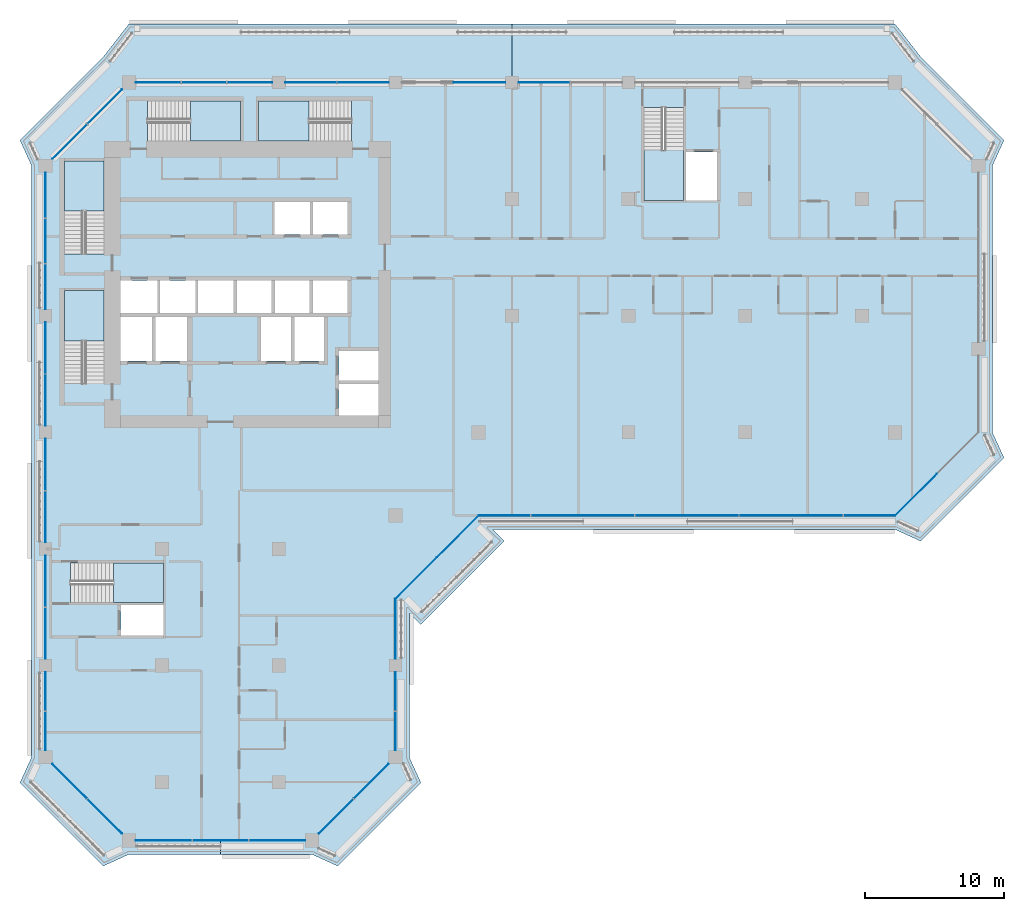
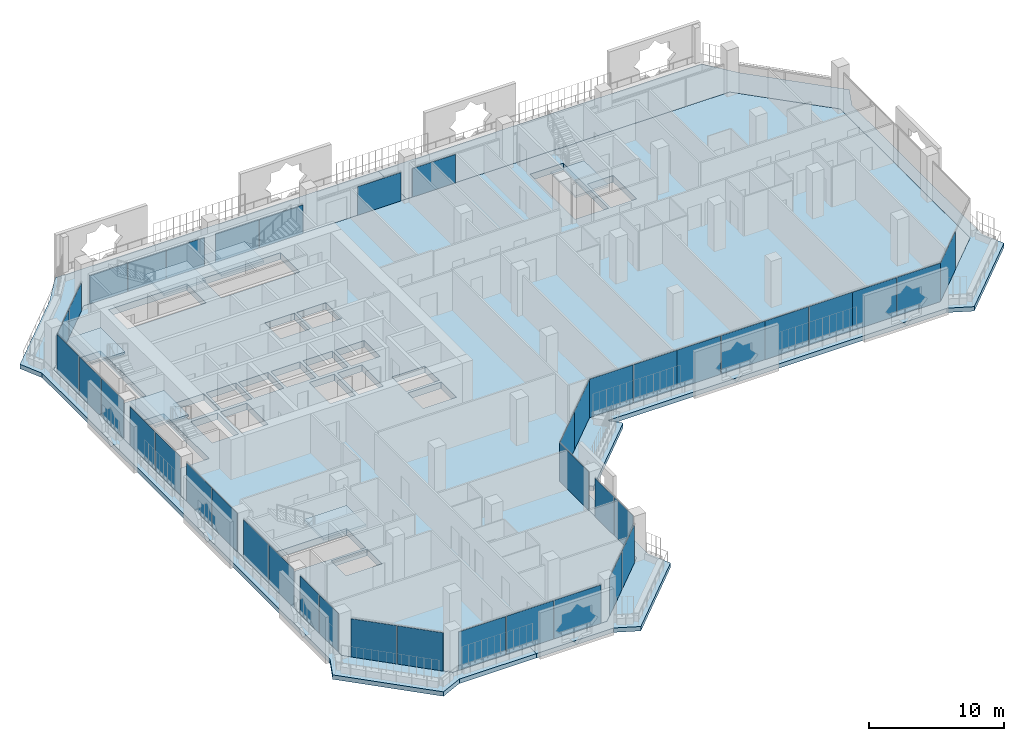
# One storey, part 8 of 22: 41 plates, 9 slabs, 16 elements without a shape of their own.
"""IFC4 building model written with IfcOpenShell, lengths in metres."""

import ifcopenshell
import ifcopenshell.guid

model = None  # the IFC model being written
_history = None  # IfcOwnerHistory: only IFC2X3 demands one
_inside = {}  # id of a spatial element -> (the spatial element, [elements in it])
_under = {}  # id of a project, library or spatial element -> (it, [spatial elements below it])
_declared = {}  # id of a project -> (the project, [libraries it declares])
_typed = {}  # id of a type object -> (the type object, [elements of that type])
_made_of = {}  # id of a material, layer set ... -> (it, [elements and type objects made of it])


def new_model(schema):
    """Start an empty IFC model of exactly this schema.

    Asked for "IFC4X3", IfcOpenShell would pick the latest addendum, in which some entities
    have other attributes; the version numbers below select the first issue.
    IFC2X3 requires an IfcOwnerHistory on every rooted entity: one is made here for all.
    """
    global model, _history
    if schema == "IFC4X3":
        model = ifcopenshell.file(schema_version=(4, 3, 0, 0))
    else:
        model = ifcopenshell.file(schema=schema)
    _inside.clear()
    _under.clear()
    _declared.clear()
    _typed.clear()
    _made_of.clear()
    _history = None
    if model.schema == "IFC2X3":
        org = make("IfcOrganization", Name="unknown")
        user = make(
            "IfcPersonAndOrganization",
            ThePerson=make("IfcPerson", FamilyName="unknown"),
            TheOrganization=org,
        )
        app = make(
            "IfcApplication",
            ApplicationDeveloper=org,
            Version="unknown",
            ApplicationFullName="unknown",
            ApplicationIdentifier="unknown",
        )
        _history = make(
            "IfcOwnerHistory",
            OwningUser=user,
            OwningApplication=app,
            ChangeAction="ADDED",
            CreationDate=0,
        )
    return model


def make(cls, **values):
    """One entity of the class cls with the attributes given. An attribute that is None is left unset."""
    return model.create_entity(
        cls, **{name: value for name, value in values.items() if value is not None}
    )


def rooted(cls, **values):
    """An entity with a GlobalId (a new one), such as an element, a storey or a relation."""
    return make(cls, GlobalId=ifcopenshell.guid.new(), OwnerHistory=_history, **values)


def si_unit(unit_type, name, prefix=None):
    """IfcSIUnit, for example si_unit("LENGTHUNIT", "METRE", prefix="MILLI")."""
    return make("IfcSIUnit", UnitType=unit_type, Prefix=prefix, Name=name)


def assignment(units):
    """IfcUnitAssignment: the units of a project."""
    return None if units is None else make("IfcUnitAssignment", Units=units)


def point(xyz):
    """IfcCartesianPoint."""
    return None if xyz is None else make("IfcCartesianPoint", Coordinates=xyz)


def direction(xyz):
    """IfcDirection."""
    return None if xyz is None else make("IfcDirection", DirectionRatios=xyz)


def frame(location, z_axis=None, x_axis=None):
    """IfcAxis2Placement3D, a coordinate frame: its origin and axes. An axis left out is left unset."""
    return make(
        "IfcAxis2Placement3D",
        Location=point(location),
        Axis=direction(z_axis),
        RefDirection=direction(x_axis),
    )


def frame_2d(location, x_axis=None):
    """IfcAxis2Placement2D, a coordinate frame in the plane: its origin and x axis."""
    return make(
        "IfcAxis2Placement2D", Location=point(location), RefDirection=direction(x_axis)
    )


def origin():
    """The frame at (0, 0, 0) with its axes left unset."""
    return frame((0.0, 0.0, 0.0))


def origin_2d():
    """The frame at (0, 0) in the plane with its x axis left unset."""
    return frame_2d((0.0, 0.0))


def place(relative_to, where):
    """IfcLocalPlacement: puts the frame where relative to a parent placement (None: the world)."""
    return make(
        "IfcLocalPlacement", PlacementRelTo=relative_to, RelativePlacement=where
    )


def context(
    kind, dimensions, precision=None, world=None, true_north=None, identifier=None
):
    """IfcGeometricRepresentationContext, for example the 3D "Model" context."""
    return make(
        "IfcGeometricRepresentationContext",
        ContextIdentifier=identifier,
        ContextType=kind,
        CoordinateSpaceDimension=dimensions,
        Precision=precision,
        WorldCoordinateSystem=world,
        TrueNorth=true_north,
    )


def subcontext(parent, identifier, kind, view, scale=None):
    """IfcGeometricRepresentationSubContext, for example "Body" below "Model"."""
    return make(
        "IfcGeometricRepresentationSubContext",
        ContextIdentifier=identifier,
        ContextType=kind,
        ParentContext=parent,
        TargetScale=scale,
        TargetView=view,
    )


def project(units=None, contexts=None):
    """IfcProject with its units and contexts."""
    return rooted(
        "IfcProject",
        Name="project",
        RepresentationContexts=contexts,
        UnitsInContext=assignment(units),
    )


def spatial(cls, under=None, at=None, **own):
    """A site, building, storey or space (cls), placed at a placement, below another one or the project."""
    s = rooted(cls, ObjectPlacement=at, **own)
    if under is not None:
        _under.setdefault(under.id(), (under, []))[1].append(s)
    return s


def polyline(points):
    """IfcPolyline through the points."""
    return make("IfcPolyline", Points=[point(p) for p in points])


def profile(cls, at=None, kind="AREA", **sizes):
    """A parametric profile (cls). Its sizes go by their IFC names, for example OverallWidth=200.0."""
    return make(cls, ProfileType=kind, Position=at, **sizes)


def rectangle(**sizes):
    """IfcRectangleProfileDef."""
    return profile("IfcRectangleProfileDef", **sizes)


def outline(outer, holes=None, kind="AREA"):
    """IfcArbitraryClosedProfileDef: a profile drawn as a closed curve; with holes, ...WithVoids."""
    if holes is None:
        return make("IfcArbitraryClosedProfileDef", ProfileType=kind, OuterCurve=outer)
    return make(
        "IfcArbitraryProfileDefWithVoids",
        ProfileType=kind,
        OuterCurve=outer,
        InnerCurves=holes,
    )


def extrude(swept, where, along, depth):
    """IfcExtrudedAreaSolid: the profile swept, set in the frame where, extruded along a direction by depth."""
    return make(
        "IfcExtrudedAreaSolid",
        SweptArea=swept,
        Position=where,
        ExtrudedDirection=direction(along),
        Depth=depth,
    )


def shape(context_of_items, identifier, shape_type, items):
    """IfcShapeRepresentation: the items that make up one representation, for example the "Body"."""
    return make(
        "IfcShapeRepresentation",
        ContextOfItems=context_of_items,
        RepresentationIdentifier=identifier,
        RepresentationType=shape_type,
        Items=items,
    )


def material(Name=None, Category=None):
    """IfcMaterial."""
    return make("IfcMaterial", Name=Name, Category=Category)


def layer(
    of_material, thickness, ventilated=None, Name=None, Category=None, Priority=None
):
    """IfcMaterialLayer: one layer of a wall or slab, of a material (None: an air gap)."""
    return make(
        "IfcMaterialLayer",
        Material=of_material,
        LayerThickness=thickness,
        IsVentilated=ventilated,
        Name=Name,
        Category=Category,
        Priority=Priority,
    )


def layer_set(layers, Name=None):
    """IfcMaterialLayerSet."""
    return make("IfcMaterialLayerSet", MaterialLayers=layers, LayerSetName=Name)


def made_of(thing, what):
    """Note that an element or type object is made of a material, layer set ...; save() writes the relation."""
    if what is not None:
        _made_of.setdefault(what.id(), (what, []))[1].append(thing)
    return thing


def type_object(cls, material=None, **own):
    """A type object (cls), such as IfcWallType, which elements share."""
    return made_of(rooted(cls, **own), material)


def element(
    cls,
    number,
    at=None,
    inside=None,
    cuts=None,
    type_object=None,
    material=None,
    context=None,
    identifier="Body",
    shape_type=None,
    held_by="IfcProductDefinitionShape",
    body=None,
    shapes=None,
    **own,
):
    """One element of the class cls, such as IfcWall. Its Tag is "e" and its number.

    at: its placement. inside: the storey or other place that contains it. cuts: it is an
    opening in that element (IfcRelVoidsElement). A single representation is given by context,
    identifier, shape_type and body (its items); several are given by shapes. held_by: the class
    of the entity that holds the representations. save() writes the other relations.
    """
    e = rooted(cls, Tag="e%d" % number, ObjectPlacement=at, **own)
    if body is not None:
        shapes = [shape(context, identifier, shape_type, body)]
    if shapes is not None:
        e.Representation = make(held_by, Representations=shapes)
    if inside is not None:
        _inside.setdefault(inside.id(), (inside, []))[1].append(e)
    if cuts is not None:
        rooted(
            "IfcRelVoidsElement", RelatingBuildingElement=cuts, RelatedOpeningElement=e
        )
    if type_object is not None:
        _typed.setdefault(type_object.id(), (type_object, []))[1].append(e)
    return made_of(e, material)


def aggregate(whole, parts):
    """IfcRelAggregates: a whole, such as a stair, and the parts it consists of."""
    return rooted("IfcRelAggregates", RelatingObject=whole, RelatedObjects=parts)


def save(model, path):
    """Write the relations noted so far, then the file.

    IfcRelAggregates (storeys below a building ...), IfcRelContainedInSpatialStructure (elements
    in a storey), IfcRelDefinesByType, IfcRelAssociatesMaterial and IfcRelDeclares: one each for
    every whole, place, type object, material and project.
    """
    for whole, parts in _under.values():
        aggregate(whole, parts)
    for where, things in _inside.values():
        rooted(
            "IfcRelContainedInSpatialStructure",
            RelatedElements=things,
            RelatingStructure=where,
        )
    for kind, things in _typed.values():
        rooted("IfcRelDefinesByType", RelatedObjects=things, RelatingType=kind)
    for what, things in _made_of.values():
        rooted("IfcRelAssociatesMaterial", RelatedObjects=things, RelatingMaterial=what)
    for by, libraries in _declared.values():
        rooted("IfcRelDeclares", RelatingContext=by, RelatedDefinitions=libraries)
    model.write(path)


model = new_model("IFC4")

# Units and contexts
model_context = context("Model", 3, precision=1e-05, world=origin(), true_north=direction((0.0, 1.0)))
body_context = subcontext(model_context, "Body", "Model", "MODEL_VIEW")
ifc_project = project(units=[si_unit("LENGTHUNIT", "METRE"), si_unit("AREAUNIT", "SQUARE_METRE"), si_unit("VOLUMEUNIT", "CUBIC_METRE"), si_unit("PLANEANGLEUNIT", "RADIAN"), si_unit("MASSUNIT", "GRAM", prefix="KILO")], contexts=[model_context])

# Site, building, storey
site_placement = place(None, origin())
site = spatial("IfcSite", under=ifc_project, at=site_placement, CompositionType="ELEMENT")
building_placement = place(site_placement, origin())
building = spatial("IfcBuilding", under=site, at=building_placement, Name="Kawkab Arch Medical Tower", CompositionType="ELEMENT")
storey_placement = place(building_placement, frame((0.0, 0.0, 187.800048828125)))
storey = spatial("IfcBuildingStorey", under=building, at=storey_placement, Name="L43", CompositionType="ELEMENT", Elevation=187.800048828125)

# Curtain wall, plates
ifc_material_1 = material(Name="Bronze anodised aluminium curtain wall frame", Category="aluminium")
ifc_layer_1 = layer(ifc_material_1, 0.159912109375)
ifc_layer_set_1 = layer_set([ifc_layer_1], Name="Bronze anodised aluminium curtain wall frame")
curtain_wall_type_1 = type_object("IfcCurtainWallType", Name="CW1 ward curtain wall", PredefinedType="NOTDEFINED", material=ifc_layer_set_1)
placement_1 = place(storey_placement, origin())
curtain_wall_1 = element("IfcCurtainWall", 1, at=placement_1, inside=storey, type_object=curtain_wall_type_1, Name="CW1 Ward curtain wall R01", PredefinedType="NOTDEFINED")
ifc_material_2 = material(Name="Tinted insulating glass, bronze low-e coating", Category="glass")
ifc_layer_2 = layer(ifc_material_2, 0.031982421875)
ifc_layer_set_2 = layer_set([ifc_layer_2], Name="Tinted insulating glass, bronze low-e coating")
plate_type_1 = type_object("IfcPlateType", Name="CW1 glazing unit 32", PredefinedType="CURTAIN_PANEL", material=ifc_layer_set_2)
plate_1_placement = place(storey_placement, frame((0.0, -8.12255859375, 0.0), z_axis=(0.0, 0.0, 1.0), x_axis=(0.0, -1.0, 0.0)))
plate_1 = element("IfcPlate", 2, at=plate_1_placement, type_object=plate_type_1, Name="CW1 glazing unit 1.1", PredefinedType="CURTAIN_PANEL", context=body_context, shape_type="SweptSolid", body=[
    extrude(rectangle(XDim=3.2451171875, YDim=0.031982421875, at=origin_2d()), origin(), (0.0, 0.0, 1.0), 3.47998046875),
])
plate_2_placement = place(storey_placement, frame((0.0, -11.41259765625, 0.0), z_axis=(0.0, 0.0, 1.0), x_axis=(0.0, -1.0, 0.0)))
plate_2 = element("IfcPlate", 3, at=plate_2_placement, type_object=plate_type_1, Name="CW1 glazing unit 1.2", PredefinedType="CURTAIN_PANEL", context=body_context, shape_type="SweptSolid", body=[
    extrude(rectangle(XDim=3.215087890625, YDim=0.031982421875, at=origin_2d()), origin(), (0.0, 0.0, 1.0), 3.47998046875),
])
plate_3_placement = place(storey_placement, frame((0.0, -14.702392578125, 0.0), z_axis=(0.0, 0.0, 1.0), x_axis=(0.0, -1.0, 0.0)))
plate_3 = element("IfcPlate", 4, at=plate_3_placement, type_object=plate_type_1, Name="CW1 glazing unit 1.3", PredefinedType="CURTAIN_PANEL", context=body_context, shape_type="SweptSolid", body=[
    extrude(rectangle(XDim=3.2451171875, YDim=0.031982421875, at=origin_2d()), origin(), (0.0, 0.0, 1.0), 3.47998046875),
])
plate_4_placement = place(storey_placement, frame((0.0, -19.12255859375, 0.0), z_axis=(0.0, 0.0, 1.0), x_axis=(0.0, -1.0, 0.0)))
plate_4 = element("IfcPlate", 5, at=plate_4_placement, type_object=plate_type_1, Name="CW1 glazing unit 2.1", PredefinedType="CURTAIN_PANEL", context=body_context, shape_type="SweptSolid", body=[
    extrude(rectangle(XDim=3.695068359375, YDim=0.031982421875, at=origin_2d()), origin(), (0.0, 0.0, 1.0), 3.47998046875),
])
plate_5_placement = place(storey_placement, frame((0.0, -22.87744140625, 0.0), z_axis=(0.0, 0.0, 1.0), x_axis=(0.0, -1.0, 0.0)))
plate_5 = element("IfcPlate", 6, at=plate_5_placement, type_object=plate_type_1, Name="CW1 glazing unit 2.2", PredefinedType="CURTAIN_PANEL", context=body_context, shape_type="SweptSolid", body=[
    extrude(rectangle(XDim=3.695068359375, YDim=0.031982421875, at=origin_2d()), origin(), (0.0, 0.0, 1.0), 3.47998046875),
])
plate_6_placement = place(storey_placement, frame((0.0, -27.5224609375, 0.0), z_axis=(0.0, 0.0, 1.0), x_axis=(0.0, -1.0, 0.0)))
plate_6 = element("IfcPlate", 7, at=plate_6_placement, type_object=plate_type_1, Name="CW1 glazing unit 3.1", PredefinedType="CURTAIN_PANEL", context=body_context, shape_type="SweptSolid", body=[
    extrude(rectangle(XDim=3.695068359375, YDim=0.031982421875, at=origin_2d()), origin(), (0.0, 0.0, 1.0), 3.47998046875),
])
plate_7_placement = place(storey_placement, frame((0.0, -31.277587890625, 0.0), z_axis=(0.0, 0.0, 1.0), x_axis=(0.0, -1.0, 0.0)))
plate_7 = element("IfcPlate", 8, at=plate_7_placement, type_object=plate_type_1, Name="CW1 glazing unit 3.2", PredefinedType="CURTAIN_PANEL", context=body_context, shape_type="SweptSolid", body=[
    extrude(rectangle(XDim=3.695068359375, YDim=0.031982421875, at=origin_2d()), origin(), (0.0, 0.0, 1.0), 3.47998046875),
])
plate_8_placement = place(storey_placement, frame((0.0, -35.922607421875, 0.0), z_axis=(0.0, 0.0, 1.0), x_axis=(0.0, -1.0, 0.0)))
plate_8 = element("IfcPlate", 9, at=plate_8_placement, type_object=plate_type_1, Name="CW1 glazing unit 4.1", PredefinedType="CURTAIN_PANEL", context=body_context, shape_type="SweptSolid", body=[
    extrude(rectangle(XDim=3.695068359375, YDim=0.031982421875, at=origin_2d()), origin(), (0.0, 0.0, 1.0), 3.47998046875),
])
plate_9_placement = place(storey_placement, frame((0.0, -39.677490234375, 0.0), z_axis=(0.0, 0.0, 1.0), x_axis=(0.0, -1.0, 0.0)))
plate_9 = element("IfcPlate", 10, at=plate_9_placement, type_object=plate_type_1, Name="CW1 glazing unit 4.2", PredefinedType="CURTAIN_PANEL", context=body_context, shape_type="SweptSolid", body=[
    extrude(rectangle(XDim=3.695068359375, YDim=0.031982421875, at=origin_2d()), origin(), (0.0, 0.0, 1.0), 3.47998046875),
])
plate_10_placement = place(storey_placement, frame((0.0, -43.8662109375, 0.0), z_axis=(0.0, 0.0, 1.0), x_axis=(0.0, -1.0, 0.0)))
plate_10 = element("IfcPlate", 11, at=plate_10_placement, type_object=plate_type_1, Name="CW1 glazing unit 5.1", PredefinedType="CURTAIN_PANEL", context=body_context, shape_type="SweptSolid", body=[
    extrude(rectangle(XDim=2.782470703125, YDim=0.031982421875, at=origin_2d()), origin(), (0.0, 0.0, 1.0), 3.47998046875),
])
plate_11_placement = place(storey_placement, frame((0.0, -46.708740234375, 0.0), z_axis=(0.0, 0.0, 1.0), x_axis=(0.0, -1.0, 0.0)))
plate_11 = element("IfcPlate", 12, at=plate_11_placement, type_object=plate_type_1, Name="CW1 glazing unit 5.2", PredefinedType="CURTAIN_PANEL", context=body_context, shape_type="SweptSolid", body=[
    extrude(rectangle(XDim=2.782470703125, YDim=0.031982421875, at=origin_2d()), origin(), (0.0, 0.0, 1.0), 3.47998046875),
])
aggregate(curtain_wall_1, [plate_1, plate_2, plate_3, plate_4, plate_5, plate_6, plate_7, plate_8, plate_9, plate_10, plate_11])

curtain_wall_2 = element("IfcCurtainWall", 13, at=placement_1, inside=storey, type_object=curtain_wall_type_1, Name="CW1 Ward curtain wall R03", PredefinedType="NOTDEFINED")
plate_12_placement = place(storey_placement, frame((8.518310546875, -54.60009765625, 0.0), z_axis=(0.0, 0.0, 1.0), x_axis=(1.0, 0.0, 0.0)))
plate_12 = element("IfcPlate", 14, at=plate_12_placement, type_object=plate_type_1, Name="CW1 glazing unit 1.1", PredefinedType="CURTAIN_PANEL", context=body_context, shape_type="SweptSolid", body=[
    extrude(rectangle(XDim=4.03662109375, YDim=0.031982421875, at=origin_2d()), origin(), (0.0, 0.0, 1.0), 3.47998046875),
])
plate_13_placement = place(storey_placement, frame((12.60009765625, -54.60009765625, 0.0), z_axis=(0.0, 0.0, 1.0), x_axis=(1.0, 0.0, 0.0)))
plate_13 = element("IfcPlate", 15, at=plate_13_placement, type_object=plate_type_1, Name="CW1 glazing unit 1.2", PredefinedType="CURTAIN_PANEL", context=body_context, shape_type="SweptSolid", body=[
    extrude(rectangle(XDim=4.006591796875, YDim=0.031982421875, at=origin_2d()), origin(), (0.0, 0.0, 1.0), 3.47998046875),
])
plate_14_placement = place(storey_placement, frame((16.681640625, -54.60009765625, 0.0), z_axis=(0.0, 0.0, 1.0), x_axis=(1.0, 0.0, 0.0)))
plate_14 = element("IfcPlate", 16, at=plate_14_placement, type_object=plate_type_1, Name="CW1 glazing unit 1.3", PredefinedType="CURTAIN_PANEL", context=body_context, shape_type="SweptSolid", body=[
    extrude(rectangle(XDim=4.03662109375, YDim=0.031982421875, at=origin_2d()), origin(), (0.0, 0.0, 1.0), 3.47998046875),
])
aggregate(curtain_wall_2, [plate_12, plate_13, plate_14])

curtain_wall_3 = element("IfcCurtainWall", 17, at=placement_1, inside=storey, type_object=curtain_wall_type_1, Name="CW1 Ward curtain wall R05", PredefinedType="NOTDEFINED")
plate_15_placement = place(storey_placement, frame((25.199951171875, -46.708740234375, 0.0), z_axis=(0.0, 0.0, 1.0), x_axis=(0.0, 1.0, 0.0)))
plate_15 = element("IfcPlate", 18, at=plate_15_placement, type_object=plate_type_1, Name="CW1 glazing unit 1.1", PredefinedType="CURTAIN_PANEL", context=body_context, shape_type="SweptSolid", body=[
    extrude(rectangle(XDim=2.782470703125, YDim=0.031982421875, at=origin_2d()), origin(), (0.0, 0.0, 1.0), 3.47998046875),
])
plate_16_placement = place(storey_placement, frame((25.199951171875, -43.8662109375, 0.0), z_axis=(0.0, 0.0, 1.0), x_axis=(0.0, 1.0, 0.0)))
plate_16 = element("IfcPlate", 19, at=plate_16_placement, type_object=plate_type_1, Name="CW1 glazing unit 1.2", PredefinedType="CURTAIN_PANEL", context=body_context, shape_type="SweptSolid", body=[
    extrude(rectangle(XDim=2.782470703125, YDim=0.031982421875, at=origin_2d()), origin(), (0.0, 0.0, 1.0), 3.47998046875),
])
plate_17_placement = place(storey_placement, frame((25.199951171875, -39.362548828125, 0.0), z_axis=(0.0, 0.0, 1.0), x_axis=(0.0, 1.0, 0.0)))
plate_17 = element("IfcPlate", 20, at=plate_17_placement, type_object=plate_type_1, Name="CW1 glazing unit 2.1", PredefinedType="CURTAIN_PANEL", context=body_context, shape_type="SweptSolid", body=[
    extrude(rectangle(XDim=4.324951171875, YDim=0.031982421875, at=origin_2d()), origin(), (0.0, 0.0, 1.0), 3.47998046875),
])
aggregate(curtain_wall_3, [plate_15, plate_16, plate_17])

curtain_wall_4 = element("IfcCurtainWall", 21, at=placement_1, inside=storey, type_object=curtain_wall_type_1, Name="CW1 Ward curtain wall R07", PredefinedType="NOTDEFINED")
plate_18_placement = place(storey_placement, frame((33.06005859375, -31.199951171875, 0.0), z_axis=(0.0, 0.0, 1.0), x_axis=(1.0, 0.0, 0.0)))
plate_18 = element("IfcPlate", 22, at=plate_18_placement, type_object=plate_type_1, Name="CW1 glazing unit 1.1", PredefinedType="CURTAIN_PANEL", context=body_context, shape_type="SweptSolid", body=[
    extrude(rectangle(XDim=3.719970703125, YDim=0.031982421875, at=origin_2d()), origin(), (0.0, 0.0, 1.0), 3.47998046875),
])
plate_19_placement = place(storey_placement, frame((36.840087890625, -31.199951171875, 0.0), z_axis=(0.0, 0.0, 1.0), x_axis=(1.0, 0.0, 0.0)))
plate_19 = element("IfcPlate", 23, at=plate_19_placement, type_object=plate_type_1, Name="CW1 glazing unit 1.2", PredefinedType="CURTAIN_PANEL", context=body_context, shape_type="SweptSolid", body=[
    extrude(rectangle(XDim=3.719970703125, YDim=0.031982421875, at=origin_2d()), origin(), (0.0, 0.0, 1.0), 3.47998046875),
])
plate_20_placement = place(storey_placement, frame((40.56005859375, -31.199951171875, 0.0), z_axis=(0.0, 0.0, 1.0), x_axis=(1.0, 0.0, 0.0)))
plate_20 = element("IfcPlate", 24, at=plate_20_placement, type_object=plate_type_1, Name="CW1 glazing unit 2.1", PredefinedType="CURTAIN_PANEL", context=body_context, shape_type="SweptSolid", body=[
    extrude(rectangle(XDim=3.719970703125, YDim=0.031982421875, at=origin_2d()), origin(), (0.0, 0.0, 1.0), 3.47998046875),
])
plate_21_placement = place(storey_placement, frame((44.340087890625, -31.199951171875, 0.0), z_axis=(0.0, 0.0, 1.0), x_axis=(1.0, 0.0, 0.0)))
plate_21 = element("IfcPlate", 25, at=plate_21_placement, type_object=plate_type_1, Name="CW1 glazing unit 2.2", PredefinedType="CURTAIN_PANEL", context=body_context, shape_type="SweptSolid", body=[
    extrude(rectangle(XDim=3.719970703125, YDim=0.031982421875, at=origin_2d()), origin(), (0.0, 0.0, 1.0), 3.47998046875),
])
plate_22_placement = place(storey_placement, frame((48.06005859375, -31.199951171875, 0.0), z_axis=(0.0, 0.0, 1.0), x_axis=(1.0, 0.0, 0.0)))
plate_22 = element("IfcPlate", 26, at=plate_22_placement, type_object=plate_type_1, Name="CW1 glazing unit 3.1", PredefinedType="CURTAIN_PANEL", context=body_context, shape_type="SweptSolid", body=[
    extrude(rectangle(XDim=3.719970703125, YDim=0.031982421875, at=origin_2d()), origin(), (0.0, 0.0, 1.0), 3.47998046875),
])
plate_23_placement = place(storey_placement, frame((51.840087890625, -31.199951171875, 0.0), z_axis=(0.0, 0.0, 1.0), x_axis=(1.0, 0.0, 0.0)))
plate_23 = element("IfcPlate", 27, at=plate_23_placement, type_object=plate_type_1, Name="CW1 glazing unit 3.2", PredefinedType="CURTAIN_PANEL", context=body_context, shape_type="SweptSolid", body=[
    extrude(rectangle(XDim=3.719970703125, YDim=0.031982421875, at=origin_2d()), origin(), (0.0, 0.0, 1.0), 3.47998046875),
])
plate_24_placement = place(storey_placement, frame((55.56005859375, -31.199951171875, 0.0), z_axis=(0.0, 0.0, 1.0), x_axis=(1.0, 0.0, 0.0)))
plate_24 = element("IfcPlate", 28, at=plate_24_placement, type_object=plate_type_1, Name="CW1 glazing unit 4.1", PredefinedType="CURTAIN_PANEL", context=body_context, shape_type="SweptSolid", body=[
    extrude(rectangle(XDim=3.719970703125, YDim=0.031982421875, at=origin_2d()), origin(), (0.0, 0.0, 1.0), 3.47998046875),
])
plate_25_placement = place(storey_placement, frame((59.340087890625, -31.199951171875, 0.0), z_axis=(0.0, 0.0, 1.0), x_axis=(1.0, 0.0, 0.0)))
plate_25 = element("IfcPlate", 29, at=plate_25_placement, type_object=plate_type_1, Name="CW1 glazing unit 4.2", PredefinedType="CURTAIN_PANEL", context=body_context, shape_type="SweptSolid", body=[
    extrude(rectangle(XDim=3.719970703125, YDim=0.031982421875, at=origin_2d()), origin(), (0.0, 0.0, 1.0), 3.47998046875),
])
aggregate(curtain_wall_4, [plate_18, plate_19, plate_20, plate_21, plate_22, plate_23, plate_24, plate_25])

curtain_wall_5 = element("IfcCurtainWall", 30, at=placement_1, inside=storey, type_object=curtain_wall_type_1, Name="CW1 Ward curtain wall R11", PredefinedType="NOTDEFINED")
plate_26_placement = place(storey_placement, frame((35.922607421875, 0.0, 0.0), z_axis=(0.0, 0.0, 1.0), x_axis=(-1.0, 0.0, 0.0)))
plate_26 = element("IfcPlate", 31, at=plate_26_placement, type_object=plate_type_1, Name="CW1 glazing unit 3.2", PredefinedType="CURTAIN_PANEL", context=body_context, shape_type="SweptSolid", body=[
    extrude(rectangle(XDim=3.695068359375, YDim=0.031982421875, at=origin_2d()), origin(), (0.0, 0.0, 1.0), 2.580078125),
])
plate_27_placement = place(storey_placement, frame((31.262451171875, 0.0, 0.0), z_axis=(0.0, 0.0, 1.0), x_axis=(-1.0, 0.0, 0.0)))
plate_27 = element("IfcPlate", 32, at=plate_27_placement, type_object=plate_type_1, Name="CW1 glazing unit 4.1", PredefinedType="CURTAIN_PANEL", context=body_context, shape_type="SweptSolid", body=[
    extrude(rectangle(XDim=3.72509765625, YDim=0.031982421875, at=origin_2d()), origin(), (0.0, 0.0, 1.0), 2.580078125),
])
plate_28_placement = place(storey_placement, frame((22.87744140625, 0.0, 0.0), z_axis=(0.0, 0.0, 1.0), x_axis=(-1.0, 0.0, 0.0)))
plate_28 = element("IfcPlate", 33, at=plate_28_placement, type_object=plate_type_1, Name="CW1 glazing unit 5.1", PredefinedType="CURTAIN_PANEL", context=body_context, shape_type="SweptSolid", body=[
    extrude(rectangle(XDim=3.695068359375, YDim=0.031982421875, at=origin_2d()), origin(), (0.0, 0.0, 1.0), 2.580078125),
])
plate_29_placement = place(storey_placement, frame((19.12255859375, 0.0, 0.0), z_axis=(0.0, 0.0, 1.0), x_axis=(-1.0, 0.0, 0.0)))
plate_29 = element("IfcPlate", 34, at=plate_29_placement, type_object=plate_type_1, Name="CW1 glazing unit 5.2", PredefinedType="CURTAIN_PANEL", context=body_context, shape_type="SweptSolid", body=[
    extrude(rectangle(XDim=3.695068359375, YDim=0.031982421875, at=origin_2d()), origin(), (0.0, 0.0, 1.0), 2.580078125),
])
plate_30_placement = place(storey_placement, frame((14.702392578125, 0.0, 0.0), z_axis=(0.0, 0.0, 1.0), x_axis=(-1.0, 0.0, 0.0)))
plate_30 = element("IfcPlate", 35, at=plate_30_placement, type_object=plate_type_1, Name="CW1 glazing unit 6.1", PredefinedType="CURTAIN_PANEL", context=body_context, shape_type="SweptSolid", body=[
    extrude(rectangle(XDim=3.2451171875, YDim=0.031982421875, at=origin_2d()), origin(), (0.0, 0.0, 1.0), 2.580078125),
])
plate_31_placement = place(storey_placement, frame((11.41259765625, 0.0, 0.0), z_axis=(0.0, 0.0, 1.0), x_axis=(-1.0, 0.0, 0.0)))
plate_31 = element("IfcPlate", 36, at=plate_31_placement, type_object=plate_type_1, Name="CW1 glazing unit 6.2", PredefinedType="CURTAIN_PANEL", context=body_context, shape_type="SweptSolid", body=[
    extrude(rectangle(XDim=3.215087890625, YDim=0.031982421875, at=origin_2d()), origin(), (0.0, 0.0, 1.0), 2.580078125),
])
plate_32_placement = place(storey_placement, frame((8.12255859375, 0.0, 0.0), z_axis=(0.0, 0.0, 1.0), x_axis=(-1.0, 0.0, 0.0)))
plate_32 = element("IfcPlate", 37, at=plate_32_placement, type_object=plate_type_1, Name="CW1 glazing unit 6.3", PredefinedType="CURTAIN_PANEL", context=body_context, shape_type="SweptSolid", body=[
    extrude(rectangle(XDim=3.2451171875, YDim=0.031982421875, at=origin_2d()), origin(), (0.0, 0.0, 1.0), 2.580078125),
])
aggregate(curtain_wall_5, [plate_26, plate_27, plate_28, plate_29, plate_30, plate_31, plate_32])

ifc_material_3 = material(Name="Bronze anodised aluminium curtain wall frame", Category="aluminium")
ifc_layer_3 = layer(ifc_material_3, 0.159912109375)
ifc_layer_set_3 = layer_set([ifc_layer_3], Name="Bronze anodised aluminium curtain wall frame")
curtain_wall_type_2 = type_object("IfcCurtainWallType", Name="CW2 chamfer curtain wall", PredefinedType="NOTDEFINED", material=ifc_layer_set_3)
curtain_wall_6 = element("IfcCurtainWall", 38, at=placement_1, inside=storey, type_object=curtain_wall_type_2, Name="CW2 Chamfer curtain wall R02", PredefinedType="NOTDEFINED")
ifc_material_4 = material(Name="Tinted insulating glass, bronze low-e coating", Category="glass")
ifc_layer_4 = layer(ifc_material_4, 0.031982421875)
ifc_layer_set_4 = layer_set([ifc_layer_4], Name="Tinted insulating glass, bronze low-e coating")
plate_type_2 = type_object("IfcPlateType", Name="CW2 glazing unit 32", PredefinedType="CURTAIN_PANEL", material=ifc_layer_set_4)
plate_33_placement = place(storey_placement, frame((1.739501953125, -50.33935546875, 0.0), z_axis=(0.0, 0.0, 1.0), x_axis=(0.707106781187, -0.707106781187, 0.0)))
plate_33 = element("IfcPlate", 39, at=plate_33_placement, type_object=plate_type_2, Name="CW2 glazing unit 1.1", PredefinedType="CURTAIN_PANEL", context=body_context, shape_type="SweptSolid", body=[
    extrude(rectangle(XDim=3.505615234375, YDim=0.031982421875, at=origin_2d()), origin(), (0.0, 0.0, 1.0), 3.4599609375),
])
plate_34_placement = place(storey_placement, frame((4.260498046875, -52.860595703125, 0.0), z_axis=(0.0, 0.0, 1.0), x_axis=(0.707106781187, -0.707106781187, 0.0)))
plate_34 = element("IfcPlate", 40, at=plate_34_placement, type_object=plate_type_2, Name="CW2 glazing unit 1.2", PredefinedType="CURTAIN_PANEL", context=body_context, shape_type="SweptSolid", body=[
    extrude(rectangle(XDim=3.505615234375, YDim=0.031982421875, at=origin_2d()), origin(), (0.0, 0.0, 1.0), 3.4599609375),
])
aggregate(curtain_wall_6, [plate_33, plate_34])

curtain_wall_7 = element("IfcCurtainWall", 41, at=placement_1, inside=storey, type_object=curtain_wall_type_2, Name="CW2 Chamfer curtain wall R04", PredefinedType="NOTDEFINED")
plate_35_placement = place(storey_placement, frame((20.939453125, -52.860595703125, 0.0), z_axis=(0.0, 0.0, 1.0), x_axis=(0.707106781187, 0.707106781187, 0.0)))
plate_35 = element("IfcPlate", 42, at=plate_35_placement, type_object=plate_type_2, Name="CW2 glazing unit 1.1", PredefinedType="CURTAIN_PANEL", context=body_context, shape_type="SweptSolid", body=[
    extrude(rectangle(XDim=3.505615234375, YDim=0.031982421875, at=origin_2d()), origin(), (0.0, 0.0, 1.0), 3.4599609375),
])
plate_36_placement = place(storey_placement, frame((23.460693359375, -50.33935546875, 0.0), z_axis=(0.0, 0.0, 1.0), x_axis=(0.707106781187, 0.707106781187, 0.0)))
plate_36 = element("IfcPlate", 43, at=plate_36_placement, type_object=plate_type_2, Name="CW2 glazing unit 1.2", PredefinedType="CURTAIN_PANEL", context=body_context, shape_type="SweptSolid", body=[
    extrude(rectangle(XDim=3.505615234375, YDim=0.031982421875, at=origin_2d()), origin(), (0.0, 0.0, 1.0), 3.4599609375),
])
aggregate(curtain_wall_7, [plate_35, plate_36])

curtain_wall_8 = element("IfcCurtainWall", 44, at=placement_1, inside=storey, type_object=curtain_wall_type_2, Name="CW2 Chamfer curtain wall R06", PredefinedType="NOTDEFINED")
plate_37_placement = place(storey_placement, frame((26.699951171875, -35.699951171875, 0.0), z_axis=(0.0, 0.0, 1.0), x_axis=(0.707106781187, 0.707106781187, 0.0)))
plate_37 = element("IfcPlate", 45, at=plate_37_placement, type_object=plate_type_2, Name="CW2 glazing unit 1.1", PredefinedType="CURTAIN_PANEL", context=body_context, shape_type="SweptSolid", body=[
    extrude(rectangle(XDim=4.24267578125, YDim=0.031982421875, at=origin_2d()), origin(), (0.0, 0.0, 1.0), 3.4599609375),
])
plate_38_placement = place(storey_placement, frame((29.699951171875, -32.699951171875, 0.0), z_axis=(0.0, 0.0, 1.0), x_axis=(0.707106781187, 0.707106781187, 0.0)))
plate_38 = element("IfcPlate", 46, at=plate_38_placement, type_object=plate_type_2, Name="CW2 glazing unit 2.1", PredefinedType="CURTAIN_PANEL", context=body_context, shape_type="SweptSolid", body=[
    extrude(rectangle(XDim=4.24267578125, YDim=0.031982421875, at=origin_2d()), origin(), (0.0, 0.0, 1.0), 3.4599609375),
])
aggregate(curtain_wall_8, [plate_37, plate_38])

# Curtain wall, plate
curtain_wall_9 = element("IfcCurtainWall", 47, at=placement_1, inside=storey, type_object=curtain_wall_type_2, Name="CW2 Chamfer curtain wall R08", PredefinedType="NOTDEFINED")
plate_39_placement = place(storey_placement, frame((62.699951171875, -29.699951171875, 0.0), z_axis=(0.0, 0.0, 1.0), x_axis=(0.707106781187, 0.707106781187, 0.0)))
plate_39 = element("IfcPlate", 48, at=plate_39_placement, type_object=plate_type_2, Name="CW2 glazing unit 1.1", PredefinedType="CURTAIN_PANEL", context=body_context, shape_type="SweptSolid", body=[
    extrude(rectangle(XDim=4.24267578125, YDim=0.031982421875, at=origin_2d()), origin(), (0.0, 0.0, 1.0), 3.4599609375),
])
aggregate(curtain_wall_9, [plate_39])

# Curtain wall, plates
curtain_wall_10 = element("IfcCurtainWall", 49, at=placement_1, inside=storey, type_object=curtain_wall_type_2, Name="CW2 Chamfer curtain wall R12", PredefinedType="NOTDEFINED")
plate_40_placement = place(storey_placement, frame((4.260498046875, -1.739501953125, 0.0), z_axis=(0.0, 0.0, 1.0), x_axis=(-0.707106781187, -0.707106781187, 0.0)))
plate_40 = element("IfcPlate", 50, at=plate_40_placement, type_object=plate_type_2, Name="CW2 glazing unit 1.1", PredefinedType="CURTAIN_PANEL", context=body_context, shape_type="SweptSolid", body=[
    extrude(rectangle(XDim=3.505615234375, YDim=0.031982421875, at=origin_2d()), origin(), (0.0, 0.0, 1.0), 2.56005859375),
])
plate_41_placement = place(storey_placement, frame((1.739501953125, -4.260498046875, 0.0), z_axis=(0.0, 0.0, 1.0), x_axis=(-0.707106781187, -0.707106781187, 0.0)))
plate_41 = element("IfcPlate", 51, at=plate_41_placement, type_object=plate_type_2, Name="CW2 glazing unit 1.2", PredefinedType="CURTAIN_PANEL", context=body_context, shape_type="SweptSolid", body=[
    extrude(rectangle(XDim=3.505615234375, YDim=0.031982421875, at=origin_2d()), origin(), (0.0, 0.0, 1.0), 2.56005859375),
])
aggregate(curtain_wall_10, [plate_40, plate_41])

# Stair, slab
ifc_material_5 = material(Name="Concrete C40/50", Category="concrete")
stair_type = type_object("IfcStairType", Name="Exit stair 1350", PredefinedType="HALF_TURN_STAIR", material=ifc_material_5)
stair_1 = element("IfcStair", 52, at=placement_1, inside=storey, type_object=stair_type, Name="L43 Exit stair ST1", PredefinedType="HALF_TURN_STAIR")
ifc_material_6 = material(Name="Concrete C40/50", Category="concrete")
ifc_layer_5 = layer(ifc_material_6, 0.199951171875)
ifc_layer_set_5 = layer_set([ifc_layer_5], Name="Concrete C40/50")
slab_type_1 = type_object("IfcSlabType", Name="Exit stair landing 200", PredefinedType="LANDING", material=ifc_layer_set_5)
placement_2 = place(storey_placement, frame((0.0, 0.0, 1.89990234375)))
slab_1 = element("IfcSlab", 53, at=placement_2, type_object=slab_type_1, Name="ST1 landing 1", PredefinedType="LANDING", context=body_context, shape_type="SweptSolid", body=[
    extrude(outline(polyline([(4.199951171875, -9.27001953125), (4.199951171875, -5.64990234375), (1.35009765625, -5.64990234375), (1.35009765625, -9.27001953125), (4.199951171875, -9.27001953125)])), origin(), (0.0, 0.0, 1.0), 0.199951171875),
])
aggregate(stair_1, [slab_1])

stair_2 = element("IfcStair", 54, at=placement_1, inside=storey, type_object=stair_type, Name="L43 Exit stair ST2", PredefinedType="HALF_TURN_STAIR")
slab_2 = element("IfcSlab", 55, at=placement_2, type_object=slab_type_1, Name="ST2 landing 1", PredefinedType="LANDING", context=body_context, shape_type="SweptSolid", body=[
    extrude(outline(polyline([(4.199951171875, -18.6201171875), (4.199951171875, -15.0), (1.35009765625, -15.0), (1.35009765625, -18.6201171875), (4.199951171875, -18.6201171875)])), origin(), (0.0, 0.0, 1.0), 0.199951171875),
])
aggregate(stair_2, [slab_2])

stair_3 = element("IfcStair", 56, at=placement_1, inside=storey, type_object=stair_type, Name="L43 Exit stair ST3", PredefinedType="HALF_TURN_STAIR")
slab_3 = element("IfcSlab", 57, at=placement_2, type_object=slab_type_1, Name="ST3 landing 1", PredefinedType="LANDING", context=body_context, shape_type="SweptSolid", body=[
    extrude(outline(polyline([(10.429931640625, -4.199951171875), (14.050048828125, -4.199951171875), (14.050048828125, -1.35009765625), (10.429931640625, -1.35009765625), (10.429931640625, -4.199951171875)])), origin(), (0.0, 0.0, 1.0), 0.199951171875),
])
aggregate(stair_3, [slab_3])

stair_4 = element("IfcStair", 58, at=placement_1, inside=storey, type_object=stair_type, Name="L43 Exit stair ST4", PredefinedType="HALF_TURN_STAIR")
slab_4 = element("IfcSlab", 59, at=placement_2, type_object=slab_type_1, Name="ST4 landing 1", PredefinedType="LANDING", context=body_context, shape_type="SweptSolid", body=[
    extrude(outline(polyline([(18.969970703125, -1.35009765625), (15.35009765625, -1.35009765625), (15.35009765625, -4.199951171875), (18.969970703125, -4.199951171875), (18.969970703125, -1.35009765625)])), origin(), (0.0, 0.0, 1.0), 0.199951171875),
])
aggregate(stair_4, [slab_4])

stair_5 = element("IfcStair", 60, at=placement_1, inside=storey, type_object=stair_type, Name="L43 Exit stair ST5", PredefinedType="HALF_TURN_STAIR")
slab_5 = element("IfcSlab", 61, at=placement_2, type_object=slab_type_1, Name="ST5 landing 1", PredefinedType="LANDING", context=body_context, shape_type="SweptSolid", body=[
    extrude(outline(polyline([(43.10009765625, -4.8798828125), (43.10009765625, -8.5), (45.949951171875, -8.5), (45.949951171875, -4.8798828125), (43.10009765625, -4.8798828125)])), origin(), (0.0, 0.0, 1.0), 0.199951171875),
])
aggregate(stair_5, [slab_5])

stair_6 = element("IfcStair", 62, at=placement_1, inside=storey, type_object=stair_type, Name="L43 Exit stair ST6", PredefinedType="HALF_TURN_STAIR")
slab_6 = element("IfcSlab", 63, at=placement_2, type_object=slab_type_1, Name="ST6 landing 1", PredefinedType="LANDING", context=body_context, shape_type="SweptSolid", body=[
    extrude(outline(polyline([(4.8798828125, -37.449951171875), (8.5, -37.449951171875), (8.5, -34.60009765625), (4.8798828125, -34.60009765625), (4.8798828125, -37.449951171875)])), origin(), (0.0, 0.0, 1.0), 0.199951171875),
])
aggregate(stair_6, [slab_6])

# Slabs
ifc_material_7 = material(Name="Concrete C45/55", Category="concrete")
ifc_layer_6 = layer(ifc_material_7, 0.60009765625)
ifc_layer_set_6 = layer_set([ifc_layer_6], Name="Concrete C45/55")
slab_type_2 = type_object("IfcSlabType", Name="Flat plate 600 C45/55", PredefinedType="FLOOR", material=ifc_layer_set_6)
slab_7_placement = place(storey_placement, frame((0.0, 0.0, -0.60009765625)))
element("IfcSlab", 64, at=slab_7_placement, inside=storey, type_object=slab_type_2, Name="Floor slab L43", PredefinedType="FLOOR", context=body_context, shape_type="SweptSolid", body=[
    extrude(outline(polyline([(6.0, 0.0), (61.199951171875, 0.0), (67.199951171875, -6.0), (67.199951171875, -25.199951171875), (61.199951171875, -31.199951171875), (31.199951171875, -31.199951171875), (25.199951171875, -37.199951171875), (25.199951171875, -48.60009765625), (19.199951171875, -54.60009765625), (6.0, -54.60009765625), (0.0, -48.60009765625), (0.0, -6.0), (6.0, 0.0)]), holes=[polyline([(5.425048828125, -37.64990234375), (5.425048828125, -39.85009765625), (8.5, -39.85009765625), (8.5, -37.64990234375), (5.425048828125, -37.64990234375)]), polyline([(8.5, -37.449951171875), (8.5, -34.60009765625), (1.800048828125, -34.60009765625), (1.800048828125, -37.449951171875), (8.5, -37.449951171875)]), polyline([(5.39990234375, -20.050048828125), (7.675048828125, -20.050048828125), (7.675048828125, -16.89990234375), (5.39990234375, -16.89990234375), (5.39990234375, -20.050048828125)]), polyline([(10.199951171875, -20.050048828125), (10.199951171875, -16.89990234375), (7.925048828125, -16.89990234375), (7.925048828125, -20.050048828125), (10.199951171875, -20.050048828125)]), polyline([(4.199951171875, -21.699951171875), (4.199951171875, -15.0), (1.35009765625, -15.0), (1.35009765625, -21.699951171875), (4.199951171875, -21.699951171875)]), polyline([(5.39990234375, -16.60009765625), (8.050048828125, -16.60009765625), (8.050048828125, -14.25), (5.39990234375, -14.25), (5.39990234375, -16.60009765625)]), polyline([(10.800048828125, -14.25), (8.25, -14.25), (8.25, -16.60009765625), (10.800048828125, -16.60009765625), (10.800048828125, -14.25)]), polyline([(13.52490234375, -16.60009765625), (13.52490234375, -14.25), (11.0, -14.25), (11.0, -16.60009765625), (13.52490234375, -16.60009765625)]), polyline([(16.27490234375, -14.25), (13.77490234375, -14.25), (13.77490234375, -16.60009765625), (16.27490234375, -16.60009765625), (16.27490234375, -14.25)]), polyline([(4.199951171875, -12.35009765625), (4.199951171875, -5.64990234375), (1.35009765625, -5.64990234375), (1.35009765625, -12.35009765625), (4.199951171875, -12.35009765625)]), polyline([(7.35009765625, -4.199951171875), (14.050048828125, -4.199951171875), (14.050048828125, -1.35009765625), (7.35009765625, -1.35009765625), (7.35009765625, -4.199951171875)]), polyline([(24.0, -21.72509765625), (21.14990234375, -21.72509765625), (21.14990234375, -24.0), (24.0, -24.0), (24.0, -21.72509765625)]), polyline([(24.0, -19.35009765625), (21.14990234375, -19.35009765625), (21.14990234375, -21.47509765625), (24.0, -21.47509765625), (24.0, -19.35009765625)]), polyline([(15.52490234375, -20.050048828125), (17.675048828125, -20.050048828125), (17.675048828125, -16.89990234375), (15.52490234375, -16.89990234375), (15.52490234375, -20.050048828125)]), polyline([(17.925048828125, -16.89990234375), (17.925048828125, -20.050048828125), (20.050048828125, -20.050048828125), (20.050048828125, -16.89990234375), (17.925048828125, -16.89990234375)]), polyline([(16.52490234375, -14.25), (16.52490234375, -16.60009765625), (19.02490234375, -16.60009765625), (19.02490234375, -14.25), (16.52490234375, -14.25)]), polyline([(19.27490234375, -14.25), (19.27490234375, -16.60009765625), (21.75, -16.60009765625), (21.75, -14.25), (19.27490234375, -14.25)]), polyline([(16.5, -10.949951171875), (19.050048828125, -10.949951171875), (19.050048828125, -8.60009765625), (16.5, -8.60009765625), (16.5, -10.949951171875)]), polyline([(19.25, -8.60009765625), (19.25, -10.949951171875), (21.75, -10.949951171875), (21.75, -8.60009765625), (19.25, -8.60009765625)]), polyline([(46.14990234375, -8.5), (48.35009765625, -8.5), (48.35009765625, -5.02490234375), (46.14990234375, -5.02490234375), (46.14990234375, -8.5)]), polyline([(43.10009765625, -1.800048828125), (43.10009765625, -8.5), (45.949951171875, -8.5), (45.949951171875, -1.800048828125), (43.10009765625, -1.800048828125)]), polyline([(22.050048828125, -1.35009765625), (15.35009765625, -1.35009765625), (15.35009765625, -4.199951171875), (22.050048828125, -4.199951171875), (22.050048828125, -1.35009765625)])]), origin(), (0.0, 0.0, 1.0), 0.60009765625),
])
ifc_material_8 = material(Name="Concrete C40/50", Category="concrete")
ifc_layer_7 = layer(ifc_material_8, 0.39990234375)
ifc_layer_set_7 = layer_set([ifc_layer_7], Name="Concrete C40/50")
slab_type_3 = type_object("IfcSlabType", Name="Loggia slab 400", PredefinedType="FLOOR", material=ifc_layer_set_7)
placement_3 = place(storey_placement, frame((0.0, 0.0, -0.400146484375)))
element("IfcSlab", 65, at=placement_3, inside=storey, type_object=slab_type_3, Name="Loggia slab L43.3", PredefinedType="FLOOR", context=body_context, shape_type="SweptSolid", body=[
    extrude(outline(polyline([(-1.837890625, -50.43701171875), (-1.0, -48.60009765625), (-1.0, -6.0), (-1.837890625, -4.1630859375), (4.162109375, 1.837890625), (5.9990234375, 4.198974609375), (6.0009765625, 4.198974609375), (6.0009765625, 4.199951171875), (33.59912109375, 4.199951171875), (33.59912109375, 4.198974609375), (33.60009765625, 4.198974609375), (33.60009765625, 0.001953125), (33.59912109375, 0.001953125), (33.59912109375, 0.0009765625), (6.0, 0.0009765625), (-0.0009765625, -6.0), (-0.0009765625, -48.60009765625), (6.0, -54.60107421875), (12.59912109375, -54.60107421875), (12.59912109375, -54.60205078125), (12.60009765625, -54.60205078125), (12.60009765625, -55.59912109375), (12.59912109375, -55.59912109375), (12.59912109375, -55.60009765625), (6.0, -55.60009765625), (4.1630859375, -56.43798828125), (-1.837890625, -50.43701171875)])), origin(), (0.0, 0.0, 1.0), 0.400146484375),
])
element("IfcSlab", 66, at=placement_3, inside=storey, type_object=slab_type_3, Name="Loggia slab L43.4", PredefinedType="FLOOR", context=body_context, shape_type="SweptSolid", body=[
    extrude(outline(polyline([(12.60107421875, -55.60009765625), (12.60107421875, -55.59912109375), (12.60009765625, -55.59912109375), (12.60009765625, -54.60205078125), (12.60107421875, -54.60205078125), (12.60107421875, -54.60107421875), (19.199951171875, -54.60107421875), (25.199951171875, -48.60009765625), (25.199951171875, -37.200927734375), (31.200927734375, -31.199951171875), (61.199951171875, -31.199951171875), (67.200927734375, -25.199951171875), (67.200927734375, -6.0), (61.199951171875, 0.0009765625), (33.60107421875, 0.0009765625), (33.60107421875, 0.001953125), (33.60009765625, 0.001953125), (33.60009765625, 4.198974609375), (33.60107421875, 4.198974609375), (33.60107421875, 4.199951171875), (61.198974609375, 4.199951171875), (61.198974609375, 4.198974609375), (61.200927734375, 4.198974609375), (63.0380859375, 1.837890625), (69.0380859375, -4.1630859375), (68.199951171875, -6.0), (68.199951171875, -25.199951171875), (69.0380859375, -27.037109375), (63.037109375, -33.0380859375), (61.199951171875, -32.199951171875), (32.198974609375, -32.199951171875), (33.035888671875, -33.0380859375), (27.0380859375, -39.035888671875), (26.199951171875, -38.198974609375), (26.199951171875, -48.60009765625), (27.0380859375, -50.43701171875), (21.037109375, -56.43798828125), (19.199951171875, -55.60009765625), (12.60107421875, -55.60009765625)])), origin(), (0.0, 0.0, 1.0), 0.400146484375),
])

save(model, "model.ifc")
